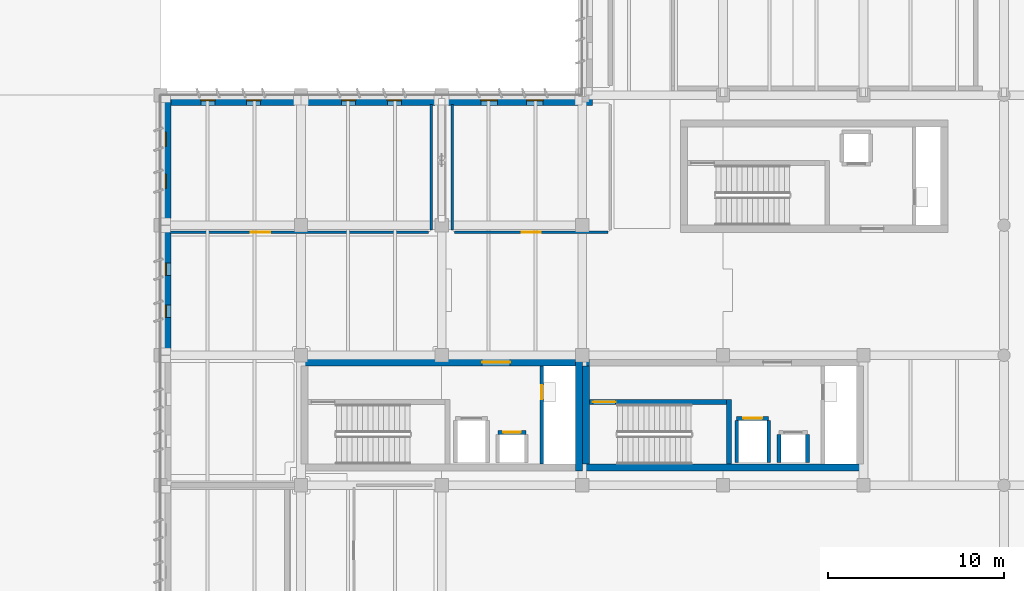
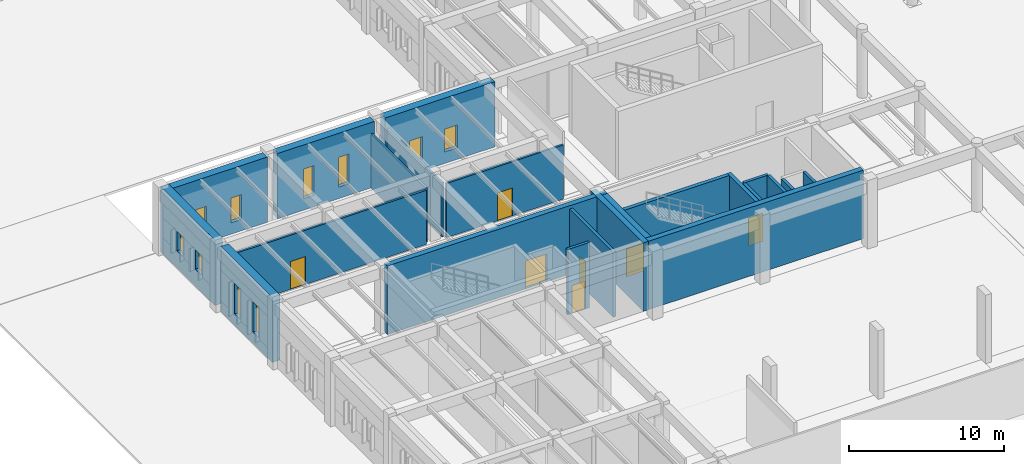
# One storey, part 18 of 56: 22 walls, 10 windows, 7 doors, 17 openings.
"""IFC4 building model written with IfcOpenShell, lengths in metres."""

from ifc_helpers import new_model, si_unit, direction, frame, frame_2d, origin, place, context, subcontext, project, spatial, rectangle, extrude, material, layer, layer_set, type_object, element, fill, save


model = new_model("IFC4")

# Units and contexts
model_context = context("Model", 3, precision=1e-05, world=origin(), true_north=direction((0.0, 1.0)))
body_context = subcontext(model_context, "Body", "Model", "MODEL_VIEW")
ifc_project = project(units=[si_unit("LENGTHUNIT", "METRE"), si_unit("AREAUNIT", "SQUARE_METRE"), si_unit("VOLUMEUNIT", "CUBIC_METRE"), si_unit("PLANEANGLEUNIT", "RADIAN"), si_unit("MASSUNIT", "GRAM", prefix="KILO")], contexts=[model_context])

# Site, building, storey
site_placement = place(None, origin())
site = spatial("IfcSite", under=ifc_project, at=site_placement, CompositionType="ELEMENT")
building_placement = place(site_placement, origin())
building = spatial("IfcBuilding", under=site, at=building_placement, Name="Valkorina Park Police Headquarters", CompositionType="ELEMENT")
storey_placement = place(building_placement, origin())
storey = spatial("IfcBuildingStorey", under=building, at=storey_placement, Name="L01", CompositionType="ELEMENT", Elevation=0.0)

# Wall, opening, door
ifc_material_1 = material(Name="Acoustic mineral board")
ifc_layer_1 = layer(ifc_material_1, 0.14990234375)
ifc_layer_set_1 = layer_set([ifc_layer_1], Name="Acoustic mineral board")
wall_type_1 = type_object("IfcWallType", Name="WL-ACOUST-150-EI30", PredefinedType="PARTITIONING", material=ifc_layer_set_1)
wall_1_placement = place(storey_placement, frame((9.340087890625, 51.39990234375, 0.0), z_axis=(0.0, 0.0, 1.0), x_axis=(1.0, 0.0, 0.0)))
wall_1 = element("IfcWall", 1, at=wall_1_placement, inside=storey, type_object=wall_type_1, Name="L01 Interior Partition 0066 (L01-OPS-01)", PredefinedType="PARTITIONING", context=body_context, shape_type="SweptSolid", body=[
    extrude(rectangle(XDim=14.719970703125, YDim=0.14990234375, at=frame_2d((7.35986328125, 0.0))), origin(), (0.0, 0.0, 1.0), 4.27001953125),
])
opening_1_placement = place(wall_1_placement, frame((4.60205078125, 0.0, 0.0)))
opening_1 = element("IfcOpeningElement", 2, at=opening_1_placement, cuts=wall_1, Name="Opening ID-05", PredefinedType="OPENING", context=body_context, shape_type="SweptSolid", body=[
    extrude(rectangle(XDim=1.10009765625, YDim=2.199951171875, at=frame_2d((0.550048828125, 1.10009765625))), frame((0.0, 0.0849609375, 0.0), z_axis=(0.0, -1.0, 0.0), x_axis=(1.0, 0.0, 0.0)), (0.0, 0.0, 1.0), 0.169921875),
])
ifc_material_2 = material(Name="Thermally broken aluminium AW-6060", Category="aluminium")
ifc_layer_2 = layer(ifc_material_2, 0.050048828125)
ifc_layer_set_2 = layer_set([ifc_layer_2], Name="Thermally broken aluminium AW-6060")
door_type_1 = type_object("IfcDoorType", Name="DR-INT-INV-1100x2200", OperationType="NOTDEFINED", PredefinedType="DOOR", material=ifc_layer_set_2)
door_1_placement = place(opening_1_placement, origin())
door_1 = element("IfcDoor", 3, at=door_1_placement, inside=storey, type_object=door_type_1, Name="Door D-L01-I029 (L01-OPS-01)", OperationType="SINGLE_SWING_RIGHT", OverallHeight=2.199951171875, OverallWidth=1.10009765625, PredefinedType="DOOR", context=body_context, shape_type="SweptSolid", body=[
    extrude(rectangle(XDim=1.10009765625, YDim=2.199951171875, at=frame_2d((0.550048828125, 1.10009765625))), frame((0.0, 0.02490234375, 0.0), z_axis=(0.0, -1.0, 0.0), x_axis=(1.0, 0.0, 0.0)), (0.0, 0.0, 1.0), 0.050048828125),
])
fill(opening_1, door_1)

# Wall
wall_2_placement = place(storey_placement, frame((24.199951171875, 51.5400390625, 0.0), z_axis=(0.0, 0.0, 1.0), x_axis=(0.0, 1.0, 0.0)))
element("IfcWall", 4, at=wall_2_placement, inside=storey, type_object=wall_type_1, Name="L01 Interior Partition 0067 (L01-OPS-01)", PredefinedType="PARTITIONING", context=body_context, shape_type="SweptSolid", body=[
    extrude(rectangle(XDim=7.119873046875, YDim=0.14990234375, at=frame_2d((3.56005859375, 0.0))), origin(), (0.0, 0.0, 1.0), 4.27001953125),
])

# Wall, opening, door
wall_3_placement = place(storey_placement, frame((25.5400390625, 51.39990234375, 0.0), z_axis=(0.0, 0.0, 1.0), x_axis=(1.0, 0.0, 0.0)))
wall_3 = element("IfcWall", 5, at=wall_3_placement, inside=storey, type_object=wall_type_1, Name="L01 Interior Partition 0068 (L01-OPS-02)", PredefinedType="PARTITIONING", context=body_context, shape_type="SweptSolid", body=[
    extrude(rectangle(XDim=8.719970703125, YDim=0.14990234375, at=frame_2d((4.35986328125, 0.0))), origin(), (0.0, 0.0, 1.0), 4.27001953125),
])
opening_2_placement = place(wall_3_placement, frame((3.81005859375, 0.0, 0.0)))
opening_2 = element("IfcOpeningElement", 6, at=opening_2_placement, cuts=wall_3, Name="Opening ID-05", PredefinedType="OPENING", context=body_context, shape_type="SweptSolid", body=[
    extrude(rectangle(XDim=1.10009765625, YDim=2.199951171875, at=frame_2d((0.550048828125, 1.10009765625))), frame((0.0, 0.0849609375, 0.0), z_axis=(0.0, -1.0, 0.0), x_axis=(1.0, 0.0, 0.0)), (0.0, 0.0, 1.0), 0.169921875),
])
door_2_placement = place(opening_2_placement, origin())
door_2 = element("IfcDoor", 7, at=door_2_placement, inside=storey, type_object=door_type_1, Name="Door D-L01-I030 (L01-OPS-02)", OperationType="SINGLE_SWING_LEFT", OverallHeight=2.199951171875, OverallWidth=1.10009765625, PredefinedType="DOOR", context=body_context, shape_type="SweptSolid", body=[
    extrude(rectangle(XDim=1.10009765625, YDim=2.199951171875, at=frame_2d((0.550048828125, 1.10009765625))), frame((0.0, 0.02490234375, 0.0), z_axis=(0.0, -1.0, 0.0), x_axis=(1.0, 0.0, 0.0)), (0.0, 0.0, 1.0), 0.050048828125),
])
fill(opening_2, door_2)

# Wall
wall_4_placement = place(storey_placement, frame((25.39990234375, 51.5400390625, 0.0), z_axis=(0.0, 0.0, 1.0), x_axis=(0.0, 1.0, 0.0)))
element("IfcWall", 8, at=wall_4_placement, inside=storey, type_object=wall_type_1, Name="L01 Interior Partition 0069 (L01-OPS-02)", PredefinedType="PARTITIONING", context=body_context, shape_type="SweptSolid", body=[
    extrude(rectangle(XDim=7.119873046875, YDim=0.14990234375, at=frame_2d((3.56005859375, 0.0))), origin(), (0.0, 0.0, 1.0), 4.27001953125),
])

# Wall, opening, door
ifc_material_3 = material(Name="Autoclaved aerated concrete masonry", Category="masonry")
ifc_layer_3 = layer(ifc_material_3, 0.219970703125)
ifc_layer_set_3 = layer_set([ifc_layer_3], Name="Autoclaved aerated concrete masonry")
wall_type_2 = type_object("IfcWallType", Name="WL-CHASE-220-EI60", PredefinedType="PLUMBINGWALL", material=ifc_layer_set_3)
wall_5_placement = place(storey_placement, frame((27.989990234375, 40.010009765625, 0.0), z_axis=(0.0, 0.0, 1.0), x_axis=(1.0, 0.0, 0.0)))
wall_5 = element("IfcWall", 9, at=wall_5_placement, inside=storey, type_object=wall_type_2, Name="Lift LF-03 L01 Shaft Front Wall", PredefinedType="PLUMBINGWALL", context=body_context, shape_type="SweptSolid", body=[
    extrude(rectangle(XDim=1.6201171875, YDim=0.219970703125, at=frame_2d((0.81005859375, 0.0))), origin(), (0.0, 0.0, 1.0), 5.139892578125),
])
opening_3_placement = place(wall_5_placement, frame((0.31005859375, 0.0, 0.0)))
opening_3 = element("IfcOpeningElement", 10, at=opening_3_placement, cuts=wall_5, Name="Opening LD-02", PredefinedType="OPENING", context=body_context, shape_type="SweptSolid", body=[
    extrude(rectangle(XDim=1.0, YDim=2.199951171875, at=frame_2d((0.5, 1.10009765625))), frame((0.0, 0.1201171875, 0.0), z_axis=(0.0, -1.0, 0.0), x_axis=(1.0, 0.0, 0.0)), (0.0, 0.0, 1.0), 0.239990234375),
])
ifc_material_4 = material(Name="Stainless steel EN 1.4404", Category="steel")
ifc_layer_4 = layer(ifc_material_4, 0.050048828125)
ifc_layer_set_4 = layer_set([ifc_layer_4], Name="Stainless steel EN 1.4404")
door_type_2 = type_object("IfcDoorType", Name="DR-LIFT-PAX-1000x2200", OperationType="NOTDEFINED", PredefinedType="DOOR", material=ifc_layer_set_4)
door_3_placement = place(opening_3_placement, origin())
door_3 = element("IfcDoor", 11, at=door_3_placement, inside=storey, type_object=door_type_2, Name="Lift Landing Door LF-03-L01", OperationType="DOUBLE_DOOR_SLIDING", OverallHeight=2.199951171875, OverallWidth=1.0, PredefinedType="DOOR", context=body_context, shape_type="SweptSolid", body=[
    extrude(rectangle(XDim=1.0, YDim=2.199951171875, at=frame_2d((0.5, 1.10009765625))), frame((0.0, 0.02490234375, 0.0), z_axis=(0.0, -1.0, 0.0), x_axis=(1.0, 0.0, 0.0)), (0.0, 0.0, 1.0), 0.050048828125),
])
fill(opening_3, door_3)

wall_6_placement = place(storey_placement, frame((30.489990234375, 38.199951171875, 0.0), z_axis=(0.0, 0.0, 1.0), x_axis=(0.0, 1.0, 0.0)))
wall_6 = element("IfcWall", 12, at=wall_6_placement, inside=storey, type_object=wall_type_2, Name="Core C1 L01 Riser Shaft West Wall", PredefinedType="PLUMBINGWALL", context=body_context, shape_type="SweptSolid", body=[
    extrude(rectangle(XDim=5.60009765625, YDim=0.219970703125, at=frame_2d((2.800048828125, 0.0))), origin(), (0.0, 0.0, 1.0), 5.139892578125),
])
opening_4_placement = place(wall_6_placement, frame((3.699951171875, 0.0, 0.0)))
opening_4 = element("IfcOpeningElement", 13, at=opening_4_placement, cuts=wall_6, Name="Opening ID-01", PredefinedType="OPENING", context=body_context, shape_type="SweptSolid", body=[
    extrude(rectangle(XDim=0.800048828125, YDim=2.10009765625, at=frame_2d((0.39990234375, 1.050048828125))), frame((0.0, 0.1201171875, 0.0), z_axis=(0.0, -1.0, 0.0), x_axis=(1.0, 0.0, 0.0)), (0.0, 0.0, 1.0), 0.239990234375),
])
ifc_material_5 = material(Name="Galvanized steel door leaf", Category="steel")
ifc_layer_5 = layer(ifc_material_5, 0.050048828125)
ifc_layer_set_5 = layer_set([ifc_layer_5], Name="Galvanized steel door leaf")
door_type_3 = type_object("IfcDoorType", Name="DR-INT-RISER-800x2100", OperationType="NOTDEFINED", PredefinedType="DOOR", material=ifc_layer_set_5)
door_4_placement = place(opening_4_placement, origin())
door_4 = element("IfcDoor", 14, at=door_4_placement, inside=storey, type_object=door_type_3, Name="Riser Shaft Access Door C1-L01", OperationType="SINGLE_SWING_RIGHT", OverallHeight=2.10009765625, OverallWidth=0.800048828125, PredefinedType="DOOR", context=body_context, shape_type="SweptSolid", body=[
    extrude(rectangle(XDim=0.800048828125, YDim=2.10009765625, at=frame_2d((0.39990234375, 1.050048828125))), frame((0.0, 0.02490234375, 0.0), z_axis=(0.0, -1.0, 0.0), x_axis=(1.0, 0.0, 0.0)), (0.0, 0.0, 1.0), 0.050048828125),
])
fill(opening_4, door_4)

wall_7_placement = place(storey_placement, frame((41.590087890625, 40.81005859375, 0.0), z_axis=(0.0, 0.0, 1.0), x_axis=(1.0, 0.0, 0.0)))
wall_7 = element("IfcWall", 15, at=wall_7_placement, inside=storey, type_object=wall_type_2, Name="Lift LF-02 L01 Shaft Front Wall", PredefinedType="PLUMBINGWALL", context=body_context, shape_type="SweptSolid", body=[
    extrude(rectangle(XDim=1.81982421875, YDim=0.219970703125, at=frame_2d((0.909912109375, 0.0))), origin(), (0.0, 0.0, 1.0), 5.139892578125),
])
opening_5_placement = place(wall_7_placement, frame((0.360107421875, 0.0, 0.0)))
opening_5 = element("IfcOpeningElement", 16, at=opening_5_placement, cuts=wall_7, Name="Opening LD-01", PredefinedType="OPENING", context=body_context, shape_type="SweptSolid", body=[
    extrude(rectangle(XDim=1.10009765625, YDim=2.199951171875, at=frame_2d((0.550048828125, 1.10009765625))), frame((0.0, 0.1201171875, 0.0), z_axis=(0.0, -1.0, 0.0), x_axis=(1.0, 0.0, 0.0)), (0.0, 0.0, 1.0), 0.239990234375),
])
ifc_layer_6 = layer(ifc_material_4, 0.050048828125)
ifc_layer_set_6 = layer_set([ifc_layer_6], Name="Stainless steel EN 1.4404")
door_type_4 = type_object("IfcDoorType", Name="DR-LIFT-FF-1100x2200", OperationType="NOTDEFINED", PredefinedType="DOOR", material=ifc_layer_set_6)
door_5_placement = place(opening_5_placement, origin())
door_5 = element("IfcDoor", 17, at=door_5_placement, inside=storey, type_object=door_type_4, Name="Lift Landing Door LF-02-L01", OperationType="DOUBLE_DOOR_SLIDING", OverallHeight=2.199951171875, OverallWidth=1.10009765625, PredefinedType="DOOR", context=body_context, shape_type="SweptSolid", body=[
    extrude(rectangle(XDim=1.10009765625, YDim=2.199951171875, at=frame_2d((0.550048828125, 1.10009765625))), frame((0.0, 0.02490234375, 0.0), z_axis=(0.0, -1.0, 0.0), x_axis=(1.0, 0.0, 0.0)), (0.0, 0.0, 1.0), 0.050048828125),
])
fill(opening_5, door_5)

# Walls
for number, where, z_axis, x_axis, name in (
    (18, (41.590087890625, 38.300048828125, 0.0), (0.0, 0.0, 1.0), (0.0, 1.0, 0.0), "Lift LF-02 L01 Shaft Side Wall W"),
    (19, (43.409912109375, 38.300048828125, 0.0), (0.0, 0.0, 1.0), (0.0, 1.0, 0.0), "Lift LF-02 L01 Shaft Side Wall E"),
):
    element("IfcWall", number, at=place(storey_placement, frame(where, z_axis=z_axis, x_axis=x_axis)), inside=storey, type_object=wall_type_2, Name=name, PredefinedType="PLUMBINGWALL", context=body_context, shape_type="SweptSolid", body=[
        extrude(rectangle(XDim=2.39990234375, YDim=0.219970703125, at=frame_2d((1.199951171875, 0.0))), origin(), (0.0, 0.0, 1.0), 5.139892578125),
    ])
for number, where, z_axis, x_axis, name in (
    (20, (43.989990234375, 38.300048828125, 0.0), (0.0, 0.0, 1.0), (0.0, 1.0, 0.0), "Lift LF-04 L01 Shaft Side Wall W"),
    (21, (45.610107421875, 38.300048828125, 0.0), (0.0, 0.0, 1.0), (0.0, 1.0, 0.0), "Lift LF-04 L01 Shaft Side Wall E"),
):
    element("IfcWall", number, at=place(storey_placement, frame(where, z_axis=z_axis, x_axis=x_axis)), inside=storey, type_object=wall_type_2, Name=name, PredefinedType="PLUMBINGWALL", context=body_context, shape_type="SweptSolid", body=[
        extrude(rectangle(XDim=1.599853515625, YDim=0.219970703125, at=frame_2d((0.7998046875, 0.0))), origin(), (0.0, 0.0, 1.0), 5.139892578125),
    ])

# Wall, opening, door
ifc_material_6 = material(Name="Concrete C40/50", Category="concrete")
ifc_layer_7 = layer(ifc_material_6, 0.39990234375)
ifc_layer_set_7 = layer_set([ifc_layer_7], Name="Concrete C40/50")
wall_type_3 = type_object("IfcWallType", Name="WL-CORE-400-REI180", PredefinedType="SHEAR", material=ifc_layer_set_7)
wall_8_placement = place(storey_placement, frame((16.800048828125, 44.0, 0.0), z_axis=(0.0, 0.0, 1.0), x_axis=(1.0, 0.0, 0.0)))
wall_8 = element("IfcWall", 22, at=wall_8_placement, inside=storey, type_object=wall_type_3, Name="Core C1 L01 Shear Wall N", PredefinedType="SHEAR", context=body_context, shape_type="SweptSolid", body=[
    extrude(rectangle(XDim=16.39990234375, YDim=0.39990234375, at=frame_2d((8.199951171875, 0.0))), origin(), (0.0, 0.0, 1.0), 5.39501953125),
])
opening_6_placement = place(wall_8_placement, frame((10.300048828125, 0.0, 0.0)))
opening_6 = element("IfcOpeningElement", 23, at=opening_6_placement, cuts=wall_8, Name="Opening FD-04", PredefinedType="OPENING", context=body_context, shape_type="SweptSolid", body=[
    extrude(rectangle(XDim=1.60009765625, YDim=2.199951171875, at=frame_2d((0.800048828125, 1.10009765625))), frame((0.0, 0.2099609375, 0.0), z_axis=(0.0, -1.0, 0.0), x_axis=(1.0, 0.0, 0.0)), (0.0, 0.0, 1.0), 0.419921875),
])
ifc_layer_8 = layer(ifc_material_5, 0.050048828125)
ifc_layer_set_8 = layer_set([ifc_layer_8], Name="Galvanized steel door leaf")
door_type_5 = type_object("IfcDoorType", Name="DR-FIRE-FFL-1600x2200", OperationType="NOTDEFINED", PredefinedType="DOOR", material=ifc_layer_set_8)
door_6_placement = place(opening_6_placement, origin())
door_6 = element("IfcDoor", 24, at=door_6_placement, inside=storey, type_object=door_type_5, Name="Door D-L01-FFL-C1 (Firefighting Lift Lobby Door)", OperationType="DOUBLE_DOOR_SINGLE_SWING", OverallHeight=2.199951171875, OverallWidth=1.60009765625, PredefinedType="DOOR", context=body_context, shape_type="SweptSolid", body=[
    extrude(rectangle(XDim=1.60009765625, YDim=2.199951171875, at=frame_2d((0.800048828125, 1.10009765625))), frame((0.0, 0.02490234375, 0.0), z_axis=(0.0, -1.0, 0.0), x_axis=(1.0, 0.0, 0.0)), (0.0, 0.0, 1.0), 0.050048828125),
])
fill(opening_6, door_6)

# Walls
wall_9_placement = place(storey_placement, frame((32.60009765625, 37.800048828125, 0.0), z_axis=(0.0, 0.0, 1.0), x_axis=(0.0, 1.0, 0.0)))
element("IfcWall", 25, at=wall_9_placement, inside=storey, type_object=wall_type_3, Name="Core C1 L01 Shear Wall E", PredefinedType="SHEAR", context=body_context, shape_type="SweptSolid", body=[
    extrude(rectangle(XDim=6.800048828125, YDim=0.39990234375, at=frame_2d((3.39990234375, 0.0))), origin(), (0.0, 0.0, 1.0), 5.39501953125),
])
wall_10_placement = place(storey_placement, frame((32.800048828125, 38.0, 0.0), z_axis=(0.0, 0.0, 1.0), x_axis=(1.0, 0.0, 0.0)))
element("IfcWall", 26, at=wall_10_placement, inside=storey, type_object=wall_type_3, Name="Core C2 L01 Shear Wall S", PredefinedType="SHEAR", context=body_context, shape_type="SweptSolid", body=[
    extrude(rectangle(XDim=16.0, YDim=0.39990234375, at=frame_2d((8.0, 0.0))), origin(), (0.0, 0.0, 1.0), 5.39501953125),
])
wall_11_placement = place(storey_placement, frame((33.0, 38.199951171875, 0.0), z_axis=(0.0, 0.0, 1.0), x_axis=(0.0, 1.0, 0.0)))
element("IfcWall", 27, at=wall_11_placement, inside=storey, type_object=wall_type_3, Name="Core C2 L01 Shear Wall W", PredefinedType="SHEAR", context=body_context, shape_type="SweptSolid", body=[
    extrude(rectangle(XDim=5.60009765625, YDim=0.39990234375, at=frame_2d((2.800048828125, 0.0))), origin(), (0.0, 0.0, 1.0), 5.39501953125),
])

# Wall, openings, windows
ifc_material_7 = material(Name="Concrete C35/45", Category="concrete")
ifc_layer_9 = layer(ifc_material_7, 0.580078125)
ifc_layer_set_9 = layer_set([ifc_layer_9], Name="Concrete C35/45")
wall_type_4 = type_object("IfcWallType", Name="WL-EXT-BOARD-580", PredefinedType="STANDARD", material=ifc_layer_set_9)
wall_12_placement = place(storey_placement, frame((9.090087890625, 44.784912109375, 0.0), z_axis=(0.0, 0.0, 1.0), x_axis=(0.0, 1.0, 0.0)))
wall_12 = element("IfcWall", 28, at=wall_12_placement, inside=storey, type_object=wall_type_4, Name="L01 Architectural Concrete Exterior Wall 0008", PredefinedType="STANDARD", context=body_context, shape_type="SweptSolid", body=[
    extrude(rectangle(XDim=6.630126953125, YDim=0.580078125, at=frame_2d((3.31494140625, 0.0))), origin(), (0.0, 0.0, 1.0), 5.139892578125),
])
opening_7_placement = place(wall_12_placement, frame((1.771484375, 0.0, 0.89990234375)))
opening_7 = element("IfcOpeningElement", 29, at=opening_7_placement, cuts=wall_12, Name="Opening WN-09", PredefinedType="OPENING", context=body_context, shape_type="SweptSolid", body=[
    extrude(rectangle(XDim=0.699951171875, YDim=2.39990234375, at=frame_2d((0.35009765625, 1.199951171875))), frame((0.0, 0.300048828125, 0.0), z_axis=(0.0, -1.0, 0.0), x_axis=(1.0, 0.0, 0.0)), (0.0, 0.0, 1.0), 0.60009765625),
])
opening_8_placement = place(wall_12_placement, frame((4.158447265625, 0.0, 0.89990234375)))
opening_8 = element("IfcOpeningElement", 30, at=opening_8_placement, cuts=wall_12, Name="Opening WN-09", PredefinedType="OPENING", context=body_context, shape_type="SweptSolid", body=[
    extrude(rectangle(XDim=0.699951171875, YDim=2.39990234375, at=frame_2d((0.35009765625, 1.199951171875))), frame((0.0, 0.300048828125, 0.0), z_axis=(0.0, -1.0, 0.0), x_axis=(1.0, 0.0, 0.0)), (0.0, 0.0, 1.0), 0.60009765625),
])
ifc_material_8 = material(Name="Triple low-E insulated glazing", Category="glass")
ifc_layer_10 = layer(ifc_material_8, 0.06005859375)
ifc_layer_set_10 = layer_set([ifc_layer_10], Name="Triple low-E insulated glazing")
window_type_1 = type_object("IfcWindowType", Name="WN-SLOT-700x2400", PartitioningType="SINGLE_PANEL", PredefinedType="WINDOW", material=ifc_layer_set_10)
window_1_placement = place(opening_7_placement, origin())
window_1 = element("IfcWindow", 31, at=window_1_placement, inside=storey, type_object=window_type_1, Name="Window L01-0013", OverallHeight=2.39990234375, OverallWidth=0.699951171875, PartitioningType="SINGLE_PANEL", PredefinedType="WINDOW", context=body_context, shape_type="SweptSolid", body=[
    extrude(rectangle(XDim=0.699951171875, YDim=2.39990234375, at=frame_2d((0.35009765625, 1.199951171875))), frame((0.0, 0.030029296875, 0.0), z_axis=(0.0, -1.0, 0.0), x_axis=(1.0, 0.0, 0.0)), (0.0, 0.0, 1.0), 0.06005859375),
])
fill(opening_7, window_1)
window_2_placement = place(opening_8_placement, origin())
window_2 = element("IfcWindow", 32, at=window_2_placement, inside=storey, type_object=window_type_1, Name="Window L01-0014", OverallHeight=2.39990234375, OverallWidth=0.699951171875, PartitioningType="SINGLE_PANEL", PredefinedType="WINDOW", context=body_context, shape_type="SweptSolid", body=[
    extrude(rectangle(XDim=0.699951171875, YDim=2.39990234375, at=frame_2d((0.35009765625, 1.199951171875))), frame((0.0, 0.030029296875, 0.0), z_axis=(0.0, -1.0, 0.0), x_axis=(1.0, 0.0, 0.0)), (0.0, 0.0, 1.0), 0.06005859375),
])
fill(opening_8, window_2)

wall_13_placement = place(storey_placement, frame((9.090087890625, 52.18505859375, 0.0), z_axis=(0.0, 0.0, 1.0), x_axis=(0.0, 1.0, 0.0)))
wall_13 = element("IfcWall", 33, at=wall_13_placement, inside=storey, type_object=wall_type_4, Name="L01 Architectural Concrete Exterior Wall 0009", PredefinedType="STANDARD", context=body_context, shape_type="SweptSolid", body=[
    extrude(rectangle(XDim=7.014892578125, YDim=0.580078125, at=frame_2d((3.50732421875, 0.0))), origin(), (0.0, 0.0, 1.0), 5.139892578125),
])
opening_9_placement = place(wall_13_placement, frame((1.7216796875, 0.0, 1.35009765625)))
opening_9 = element("IfcOpeningElement", 34, at=opening_9_placement, cuts=wall_13, Name="Opening WN-10", PredefinedType="OPENING", context=body_context, shape_type="SweptSolid", body=[
    extrude(rectangle(XDim=0.800048828125, YDim=1.550048828125, at=frame_2d((0.39990234375, 0.77490234375))), frame((0.0, 0.300048828125, 0.0), z_axis=(0.0, -1.0, 0.0), x_axis=(1.0, 0.0, 0.0)), (0.0, 0.0, 1.0), 0.60009765625),
])
opening_10_placement = place(wall_13_placement, frame((4.1083984375, 0.0, 1.35009765625)))
opening_10 = element("IfcOpeningElement", 35, at=opening_10_placement, cuts=wall_13, Name="Opening WN-10", PredefinedType="OPENING", context=body_context, shape_type="SweptSolid", body=[
    extrude(rectangle(XDim=0.800048828125, YDim=1.550048828125, at=frame_2d((0.39990234375, 0.77490234375))), frame((0.0, 0.300048828125, 0.0), z_axis=(0.0, -1.0, 0.0), x_axis=(1.0, 0.0, 0.0)), (0.0, 0.0, 1.0), 0.60009765625),
])
ifc_layer_11 = layer(ifc_material_8, 0.06005859375)
ifc_layer_set_11 = layer_set([ifc_layer_11], Name="Triple low-E insulated glazing")
window_type_2 = type_object("IfcWindowType", Name="WN-SLOT-800x1550", PartitioningType="SINGLE_PANEL", PredefinedType="WINDOW", material=ifc_layer_set_11)
window_3_placement = place(opening_9_placement, origin())
window_3 = element("IfcWindow", 36, at=window_3_placement, inside=storey, type_object=window_type_2, Name="Window L01-0015", OverallHeight=1.550048828125, OverallWidth=0.800048828125, PartitioningType="SINGLE_PANEL", PredefinedType="WINDOW", context=body_context, shape_type="SweptSolid", body=[
    extrude(rectangle(XDim=0.800048828125, YDim=1.550048828125, at=frame_2d((0.39990234375, 0.77490234375))), frame((0.0, 0.030029296875, 0.0), z_axis=(0.0, -1.0, 0.0), x_axis=(1.0, 0.0, 0.0)), (0.0, 0.0, 1.0), 0.06005859375),
])
fill(opening_9, window_3)
window_4_placement = place(opening_10_placement, origin())
window_4 = element("IfcWindow", 37, at=window_4_placement, inside=storey, type_object=window_type_2, Name="Window L01-0016", OverallHeight=1.550048828125, OverallWidth=0.800048828125, PartitioningType="SINGLE_PANEL", PredefinedType="WINDOW", context=body_context, shape_type="SweptSolid", body=[
    extrude(rectangle(XDim=0.800048828125, YDim=1.550048828125, at=frame_2d((0.39990234375, 0.77490234375))), frame((0.0, 0.030029296875, 0.0), z_axis=(0.0, -1.0, 0.0), x_axis=(1.0, 0.0, 0.0)), (0.0, 0.0, 1.0), 0.06005859375),
])
fill(opening_10, window_4)

wall_14_placement = place(storey_placement, frame((9.3798828125, 58.909912109375, 0.0), z_axis=(0.0, 0.0, 1.0), x_axis=(1.0, 0.0, 0.0)))
wall_14 = element("IfcWall", 38, at=wall_14_placement, inside=storey, type_object=wall_type_4, Name="L01 Architectural Concrete Exterior Wall 0010", PredefinedType="STANDARD", context=body_context, shape_type="SweptSolid", body=[
    extrude(rectangle(XDim=7.03515625, YDim=0.580078125, at=frame_2d((3.517578125, 0.0))), origin(), (0.0, 0.0, 1.0), 5.139892578125),
])
opening_11_placement = place(wall_14_placement, frame((1.718505859375, 0.0, 0.89990234375)))
opening_11 = element("IfcOpeningElement", 39, at=opening_11_placement, cuts=wall_14, Name="Opening WN-11", PredefinedType="OPENING", context=body_context, shape_type="SweptSolid", body=[
    extrude(rectangle(XDim=0.800048828125, YDim=1.949951171875, at=frame_2d((0.39990234375, 0.97509765625))), frame((0.0, 0.300048828125, 0.0), z_axis=(0.0, -1.0, 0.0), x_axis=(1.0, 0.0, 0.0)), (0.0, 0.0, 1.0), 0.60009765625),
])
opening_12_placement = place(wall_14_placement, frame((4.3212890625, 0.0, 0.89990234375)))
opening_12 = element("IfcOpeningElement", 40, at=opening_12_placement, cuts=wall_14, Name="Opening WN-11", PredefinedType="OPENING", context=body_context, shape_type="SweptSolid", body=[
    extrude(rectangle(XDim=0.800048828125, YDim=1.949951171875, at=frame_2d((0.39990234375, 0.97509765625))), frame((0.0, 0.300048828125, 0.0), z_axis=(0.0, -1.0, 0.0), x_axis=(1.0, 0.0, 0.0)), (0.0, 0.0, 1.0), 0.60009765625),
])
ifc_layer_12 = layer(ifc_material_8, 0.06005859375)
ifc_layer_set_12 = layer_set([ifc_layer_12], Name="Triple low-E insulated glazing")
window_type_3 = type_object("IfcWindowType", Name="WN-SLOT-800x1950", PartitioningType="SINGLE_PANEL", PredefinedType="WINDOW", material=ifc_layer_set_12)
window_5_placement = place(opening_11_placement, origin())
window_5 = element("IfcWindow", 41, at=window_5_placement, inside=storey, type_object=window_type_3, Name="Window L01-0017", OverallHeight=1.949951171875, OverallWidth=0.800048828125, PartitioningType="SINGLE_PANEL", PredefinedType="WINDOW", context=body_context, shape_type="SweptSolid", body=[
    extrude(rectangle(XDim=0.800048828125, YDim=1.949951171875, at=frame_2d((0.39990234375, 0.97509765625))), frame((0.0, 0.030029296875, 0.0), z_axis=(0.0, -1.0, 0.0), x_axis=(1.0, 0.0, 0.0)), (0.0, 0.0, 1.0), 0.06005859375),
])
fill(opening_11, window_5)
window_6_placement = place(opening_12_placement, origin())
window_6 = element("IfcWindow", 42, at=window_6_placement, inside=storey, type_object=window_type_3, Name="Window L01-0018", OverallHeight=1.949951171875, OverallWidth=0.800048828125, PartitioningType="SINGLE_PANEL", PredefinedType="WINDOW", context=body_context, shape_type="SweptSolid", body=[
    extrude(rectangle(XDim=0.800048828125, YDim=1.949951171875, at=frame_2d((0.39990234375, 0.97509765625))), frame((0.0, 0.030029296875, 0.0), z_axis=(0.0, -1.0, 0.0), x_axis=(1.0, 0.0, 0.0)), (0.0, 0.0, 1.0), 0.06005859375),
])
fill(opening_12, window_6)

wall_15_placement = place(storey_placement, frame((17.18505859375, 58.909912109375, 0.0), z_axis=(0.0, 0.0, 1.0), x_axis=(1.0, 0.0, 0.0)))
wall_15 = element("IfcWall", 43, at=wall_15_placement, inside=storey, type_object=wall_type_4, Name="L01 Architectural Concrete Exterior Wall 0011", PredefinedType="STANDARD", context=body_context, shape_type="SweptSolid", body=[
    extrude(rectangle(XDim=7.22998046875, YDim=0.580078125, at=frame_2d((3.614990234375, 0.0))), origin(), (0.0, 0.0, 1.0), 5.139892578125),
])
opening_13_placement = place(wall_15_placement, frame((1.91357421875, 0.0, 0.89990234375)))
opening_13 = element("IfcOpeningElement", 44, at=opening_13_placement, cuts=wall_15, Name="Opening WN-12", PredefinedType="OPENING", context=body_context, shape_type="SweptSolid", body=[
    extrude(rectangle(XDim=0.800048828125, YDim=2.35009765625, at=frame_2d((0.39990234375, 1.175048828125))), frame((0.0, 0.300048828125, 0.0), z_axis=(0.0, -1.0, 0.0), x_axis=(1.0, 0.0, 0.0)), (0.0, 0.0, 1.0), 0.60009765625),
])
opening_14_placement = place(wall_15_placement, frame((4.516357421875, 0.0, 0.89990234375)))
opening_14 = element("IfcOpeningElement", 45, at=opening_14_placement, cuts=wall_15, Name="Opening WN-12", PredefinedType="OPENING", context=body_context, shape_type="SweptSolid", body=[
    extrude(rectangle(XDim=0.800048828125, YDim=2.35009765625, at=frame_2d((0.39990234375, 1.175048828125))), frame((0.0, 0.300048828125, 0.0), z_axis=(0.0, -1.0, 0.0), x_axis=(1.0, 0.0, 0.0)), (0.0, 0.0, 1.0), 0.60009765625),
])
ifc_layer_13 = layer(ifc_material_8, 0.06005859375)
ifc_layer_set_13 = layer_set([ifc_layer_13], Name="Triple low-E insulated glazing")
window_type_4 = type_object("IfcWindowType", Name="WN-SLOT-800x2350", PartitioningType="SINGLE_PANEL", PredefinedType="WINDOW", material=ifc_layer_set_13)
window_7_placement = place(opening_13_placement, origin())
window_7 = element("IfcWindow", 46, at=window_7_placement, inside=storey, type_object=window_type_4, Name="Window L01-0019", OverallHeight=2.35009765625, OverallWidth=0.800048828125, PartitioningType="SINGLE_PANEL", PredefinedType="WINDOW", context=body_context, shape_type="SweptSolid", body=[
    extrude(rectangle(XDim=0.800048828125, YDim=2.35009765625, at=frame_2d((0.39990234375, 1.175048828125))), frame((0.0, 0.030029296875, 0.0), z_axis=(0.0, -1.0, 0.0), x_axis=(1.0, 0.0, 0.0)), (0.0, 0.0, 1.0), 0.06005859375),
])
fill(opening_13, window_7)
window_8_placement = place(opening_14_placement, origin())
window_8 = element("IfcWindow", 47, at=window_8_placement, inside=storey, type_object=window_type_4, Name="Window L01-0020", OverallHeight=2.35009765625, OverallWidth=0.800048828125, PartitioningType="SINGLE_PANEL", PredefinedType="WINDOW", context=body_context, shape_type="SweptSolid", body=[
    extrude(rectangle(XDim=0.800048828125, YDim=2.35009765625, at=frame_2d((0.39990234375, 1.175048828125))), frame((0.0, 0.030029296875, 0.0), z_axis=(0.0, -1.0, 0.0), x_axis=(1.0, 0.0, 0.0)), (0.0, 0.0, 1.0), 0.06005859375),
])
fill(opening_14, window_8)

wall_16_placement = place(storey_placement, frame((25.18505859375, 58.909912109375, 0.0), z_axis=(0.0, 0.0, 1.0), x_axis=(1.0, 0.0, 0.0)))
wall_16 = element("IfcWall", 48, at=wall_16_placement, inside=storey, type_object=wall_type_4, Name="L01 Architectural Concrete Exterior Wall 0012", PredefinedType="STANDARD", context=body_context, shape_type="SweptSolid", body=[
    extrude(rectangle(XDim=8.19482421875, YDim=0.580078125, at=frame_2d((4.097412109375, 0.0))), origin(), (0.0, 0.0, 1.0), 5.139892578125),
])
opening_15_placement = place(wall_16_placement, frame((1.838623046875, 0.0, 0.89990234375)))
opening_15 = element("IfcOpeningElement", 49, at=opening_15_placement, cuts=wall_16, Name="Opening WN-17", PredefinedType="OPENING", context=body_context, shape_type="SweptSolid", body=[
    extrude(rectangle(XDim=0.949951171875, YDim=1.800048828125, at=frame_2d((0.47509765625, 0.89990234375))), frame((0.0, 0.300048828125, 0.0), z_axis=(0.0, -1.0, 0.0), x_axis=(1.0, 0.0, 0.0)), (0.0, 0.0, 1.0), 0.60009765625),
])
opening_16_placement = place(wall_16_placement, frame((4.44140625, 0.0, 0.89990234375)))
opening_16 = element("IfcOpeningElement", 50, at=opening_16_placement, cuts=wall_16, Name="Opening WN-17", PredefinedType="OPENING", context=body_context, shape_type="SweptSolid", body=[
    extrude(rectangle(XDim=0.949951171875, YDim=1.800048828125, at=frame_2d((0.47509765625, 0.89990234375))), frame((0.0, 0.300048828125, 0.0), z_axis=(0.0, -1.0, 0.0), x_axis=(1.0, 0.0, 0.0)), (0.0, 0.0, 1.0), 0.60009765625),
])
ifc_layer_14 = layer(ifc_material_8, 0.06005859375)
ifc_layer_set_14 = layer_set([ifc_layer_14], Name="Triple low-E insulated glazing")
window_type_5 = type_object("IfcWindowType", Name="WN-SLOT-950x1800", PartitioningType="SINGLE_PANEL", PredefinedType="WINDOW", material=ifc_layer_set_14)
window_9_placement = place(opening_15_placement, origin())
window_9 = element("IfcWindow", 51, at=window_9_placement, inside=storey, type_object=window_type_5, Name="Window L01-0021", OverallHeight=1.800048828125, OverallWidth=0.949951171875, PartitioningType="SINGLE_PANEL", PredefinedType="WINDOW", context=body_context, shape_type="SweptSolid", body=[
    extrude(rectangle(XDim=0.949951171875, YDim=1.800048828125, at=frame_2d((0.47509765625, 0.89990234375))), frame((0.0, 0.030029296875, 0.0), z_axis=(0.0, -1.0, 0.0), x_axis=(1.0, 0.0, 0.0)), (0.0, 0.0, 1.0), 0.06005859375),
])
fill(opening_15, window_9)
window_10_placement = place(opening_16_placement, origin())
window_10 = element("IfcWindow", 52, at=window_10_placement, inside=storey, type_object=window_type_5, Name="Window L01-0022", OverallHeight=1.800048828125, OverallWidth=0.949951171875, PartitioningType="SINGLE_PANEL", PredefinedType="WINDOW", context=body_context, shape_type="SweptSolid", body=[
    extrude(rectangle(XDim=0.949951171875, YDim=1.800048828125, at=frame_2d((0.47509765625, 0.89990234375))), frame((0.0, 0.030029296875, 0.0), z_axis=(0.0, -1.0, 0.0), x_axis=(1.0, 0.0, 0.0)), (0.0, 0.0, 1.0), 0.06005859375),
])
fill(opening_16, window_10)

# Wall
ifc_layer_15 = layer(ifc_material_6, 0.280029296875)
ifc_layer_set_15 = layer_set([ifc_layer_15], Name="Concrete C40/50")
wall_type_5 = type_object("IfcWallType", Name="WL-STAIR-280-REI120", PredefinedType="SHEAR", material=ifc_layer_set_15)
wall_17_placement = place(storey_placement, frame((41.139892578125, 38.199951171875, 0.0), z_axis=(0.0, 0.0, 1.0), x_axis=(0.0, 1.0, 0.0)))
element("IfcWall", 53, at=wall_17_placement, inside=storey, type_object=wall_type_5, Name="Core C2 L01 Shear Wall DIV", PredefinedType="SHEAR", context=body_context, shape_type="SweptSolid", body=[
    extrude(rectangle(XDim=3.679931640625, YDim=0.280029296875, at=frame_2d((1.83984375, 0.0))), origin(), (0.0, 0.0, 1.0), 5.39501953125),
])

# Wall, opening, door
wall_18_placement = place(storey_placement, frame((33.199951171875, 41.739990234375, 0.0), z_axis=(0.0, 0.0, 1.0), x_axis=(1.0, 0.0, 0.0)))
wall_18 = element("IfcWall", 54, at=wall_18_placement, inside=storey, type_object=wall_type_5, Name="Core C2 L01 Shear Wall SIDE", PredefinedType="SHEAR", context=body_context, shape_type="SweptSolid", body=[
    extrude(rectangle(XDim=7.800048828125, YDim=0.280029296875, at=frame_2d((3.89990234375, 0.0))), origin(), (0.0, 0.0, 1.0), 5.39501953125),
])
opening_17_placement = place(wall_18_placement, frame((0.199951171875, 0.0, 0.0)))
opening_17 = element("IfcOpeningElement", 55, at=opening_17_placement, cuts=wall_18, Name="Opening FD-03", PredefinedType="OPENING", context=body_context, shape_type="SweptSolid", body=[
    extrude(rectangle(XDim=1.300048828125, YDim=2.199951171875, at=frame_2d((0.64990234375, 1.10009765625))), frame((0.0, 0.14990234375, 0.0), z_axis=(0.0, -1.0, 0.0), x_axis=(1.0, 0.0, 0.0)), (0.0, 0.0, 1.0), 0.300048828125),
])
ifc_layer_16 = layer(ifc_material_5, 0.050048828125)
ifc_layer_set_16 = layer_set([ifc_layer_16], Name="Galvanized steel door leaf")
door_type_6 = type_object("IfcDoorType", Name="DR-FIRE-STAIR-1300x2200", OperationType="NOTDEFINED", PredefinedType="DOOR", material=ifc_layer_set_16)
door_7_placement = place(opening_17_placement, origin())
door_7 = element("IfcDoor", 56, at=door_7_placement, inside=storey, type_object=door_type_6, Name="Door D-L01-C051 (ST-02 Stair Fire Door)", OperationType="SINGLE_SWING_RIGHT", OverallHeight=2.199951171875, OverallWidth=1.300048828125, PredefinedType="DOOR", context=body_context, shape_type="SweptSolid", body=[
    extrude(rectangle(XDim=1.300048828125, YDim=2.199951171875, at=frame_2d((0.64990234375, 1.10009765625))), frame((0.0, 0.02490234375, 0.0), z_axis=(0.0, -1.0, 0.0), x_axis=(1.0, 0.0, 0.0)), (0.0, 0.0, 1.0), 0.050048828125),
])
fill(opening_17, door_7)

save(model, "model.ifc")
